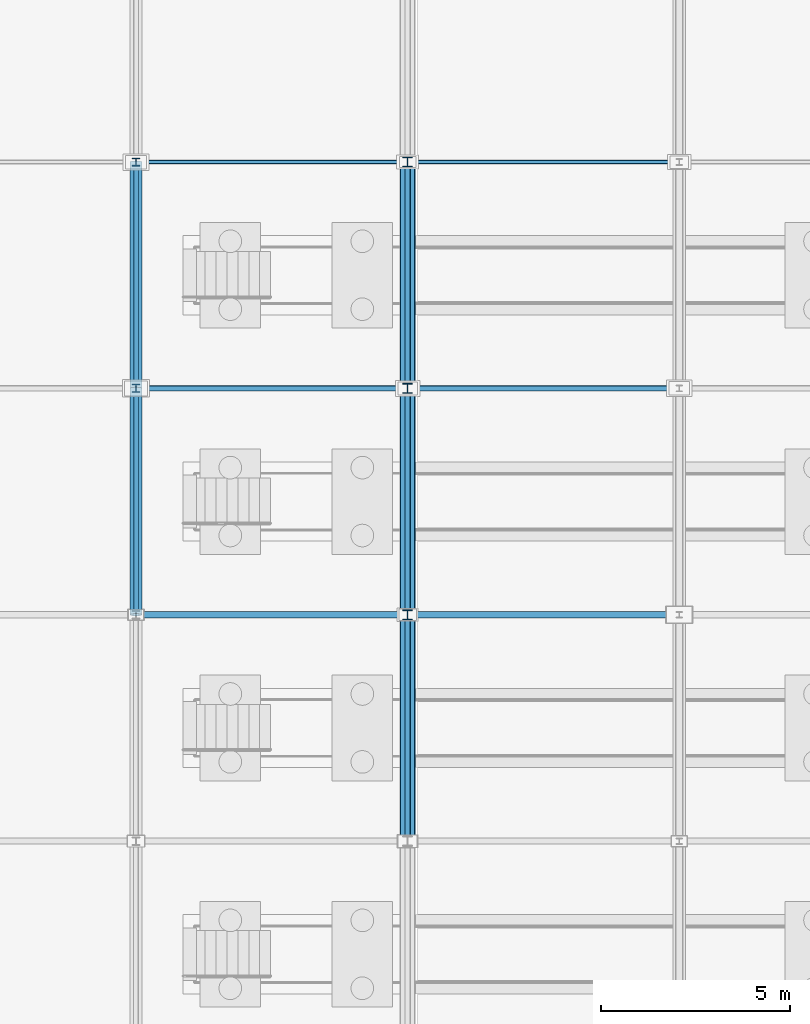
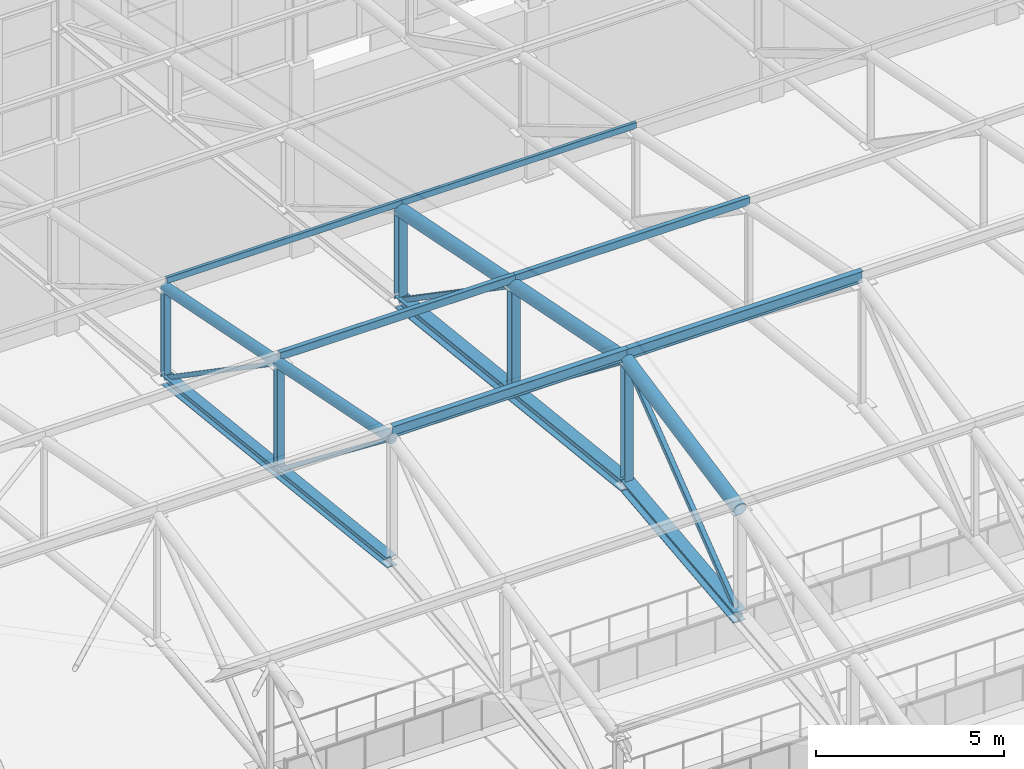
# One storey, part 124 of 293: 26 members.
"""IFC4 building model written with IfcOpenShell, lengths in metres."""

import ifcopenshell
import ifcopenshell.guid

model = None  # the IFC model being written
_history = None  # IfcOwnerHistory: only IFC2X3 demands one
_inside = {}  # id of a spatial element -> (the spatial element, [elements in it])
_under = {}  # id of a project, library or spatial element -> (it, [spatial elements below it])
_declared = {}  # id of a project -> (the project, [libraries it declares])
_typed = {}  # id of a type object -> (the type object, [elements of that type])
_made_of = {}  # id of a material, layer set ... -> (it, [elements and type objects made of it])


def new_model(schema):
    """Start an empty IFC model of exactly this schema.

    Asked for "IFC4X3", IfcOpenShell would pick the latest addendum, in which some entities
    have other attributes; the version numbers below select the first issue.
    IFC2X3 requires an IfcOwnerHistory on every rooted entity: one is made here for all.
    """
    global model, _history
    if schema == "IFC4X3":
        model = ifcopenshell.file(schema_version=(4, 3, 0, 0))
    else:
        model = ifcopenshell.file(schema=schema)
    _inside.clear()
    _under.clear()
    _declared.clear()
    _typed.clear()
    _made_of.clear()
    _history = None
    if model.schema == "IFC2X3":
        org = make("IfcOrganization", Name="unknown")
        user = make(
            "IfcPersonAndOrganization",
            ThePerson=make("IfcPerson", FamilyName="unknown"),
            TheOrganization=org,
        )
        app = make(
            "IfcApplication",
            ApplicationDeveloper=org,
            Version="unknown",
            ApplicationFullName="unknown",
            ApplicationIdentifier="unknown",
        )
        _history = make(
            "IfcOwnerHistory",
            OwningUser=user,
            OwningApplication=app,
            ChangeAction="ADDED",
            CreationDate=0,
        )
    return model


def make(cls, **values):
    """One entity of the class cls with the attributes given. An attribute that is None is left unset."""
    return model.create_entity(
        cls, **{name: value for name, value in values.items() if value is not None}
    )


def rooted(cls, **values):
    """An entity with a GlobalId (a new one), such as an element, a storey or a relation."""
    return make(cls, GlobalId=ifcopenshell.guid.new(), OwnerHistory=_history, **values)


def si_unit(unit_type, name, prefix=None):
    """IfcSIUnit, for example si_unit("LENGTHUNIT", "METRE", prefix="MILLI")."""
    return make("IfcSIUnit", UnitType=unit_type, Prefix=prefix, Name=name)


def assignment(units):
    """IfcUnitAssignment: the units of a project."""
    return None if units is None else make("IfcUnitAssignment", Units=units)


def point(xyz):
    """IfcCartesianPoint."""
    return None if xyz is None else make("IfcCartesianPoint", Coordinates=xyz)


def direction(xyz):
    """IfcDirection."""
    return None if xyz is None else make("IfcDirection", DirectionRatios=xyz)


def frame(location, z_axis=None, x_axis=None):
    """IfcAxis2Placement3D, a coordinate frame: its origin and axes. An axis left out is left unset."""
    return make(
        "IfcAxis2Placement3D",
        Location=point(location),
        Axis=direction(z_axis),
        RefDirection=direction(x_axis),
    )


def frame_2d(location, x_axis=None):
    """IfcAxis2Placement2D, a coordinate frame in the plane: its origin and x axis."""
    return make(
        "IfcAxis2Placement2D", Location=point(location), RefDirection=direction(x_axis)
    )


def origin():
    """The frame at (0, 0, 0) with its axes left unset."""
    return frame((0.0, 0.0, 0.0))


def origin_2d():
    """The frame at (0, 0) in the plane with its x axis left unset."""
    return frame_2d((0.0, 0.0))


def place(relative_to, where):
    """IfcLocalPlacement: puts the frame where relative to a parent placement (None: the world)."""
    return make(
        "IfcLocalPlacement", PlacementRelTo=relative_to, RelativePlacement=where
    )


def context(
    kind, dimensions, precision=None, world=None, true_north=None, identifier=None
):
    """IfcGeometricRepresentationContext, for example the 3D "Model" context."""
    return make(
        "IfcGeometricRepresentationContext",
        ContextIdentifier=identifier,
        ContextType=kind,
        CoordinateSpaceDimension=dimensions,
        Precision=precision,
        WorldCoordinateSystem=world,
        TrueNorth=true_north,
    )


def subcontext(parent, identifier, kind, view, scale=None):
    """IfcGeometricRepresentationSubContext, for example "Body" below "Model"."""
    return make(
        "IfcGeometricRepresentationSubContext",
        ContextIdentifier=identifier,
        ContextType=kind,
        ParentContext=parent,
        TargetScale=scale,
        TargetView=view,
    )


def project(units=None, contexts=None):
    """IfcProject with its units and contexts."""
    return rooted(
        "IfcProject",
        Name="project",
        RepresentationContexts=contexts,
        UnitsInContext=assignment(units),
    )


def spatial(cls, under=None, at=None, **own):
    """A site, building, storey or space (cls), placed at a placement, below another one or the project."""
    s = rooted(cls, ObjectPlacement=at, **own)
    if under is not None:
        _under.setdefault(under.id(), (under, []))[1].append(s)
    return s


def profile(cls, at=None, kind="AREA", **sizes):
    """A parametric profile (cls). Its sizes go by their IFC names, for example OverallWidth=200.0."""
    return make(cls, ProfileType=kind, Position=at, **sizes)


def hollow_rectangle(**sizes):
    """IfcRectangleHollowProfileDef."""
    return profile("IfcRectangleHollowProfileDef", **sizes)


def hollow_circle(**sizes):
    """IfcCircleHollowProfileDef."""
    return profile("IfcCircleHollowProfileDef", **sizes)


def i_section(**sizes):
    """IfcIShapeProfileDef."""
    return profile("IfcIShapeProfileDef", **sizes)


def extrude(swept, where, along, depth):
    """IfcExtrudedAreaSolid: the profile swept, set in the frame where, extruded along a direction by depth."""
    return make(
        "IfcExtrudedAreaSolid",
        SweptArea=swept,
        Position=where,
        ExtrudedDirection=direction(along),
        Depth=depth,
    )


def shape(context_of_items, identifier, shape_type, items):
    """IfcShapeRepresentation: the items that make up one representation, for example the "Body"."""
    return make(
        "IfcShapeRepresentation",
        ContextOfItems=context_of_items,
        RepresentationIdentifier=identifier,
        RepresentationType=shape_type,
        Items=items,
    )


def material(Name=None, Category=None):
    """IfcMaterial."""
    return make("IfcMaterial", Name=Name, Category=Category)


def material_profile(
    of_material, cross_section, Name=None, Category=None, Priority=None
):
    """IfcMaterialProfile: a cross section and its material."""
    return make(
        "IfcMaterialProfile",
        Name=Name,
        Material=of_material,
        Profile=cross_section,
        Priority=Priority,
        Category=Category,
    )


def profile_set(profiles, Name=None, composite=None):
    """IfcMaterialProfileSet."""
    return make(
        "IfcMaterialProfileSet",
        Name=Name,
        MaterialProfiles=profiles,
        CompositeProfile=composite,
    )


def made_of(thing, what):
    """Note that an element or type object is made of a material, layer set ...; save() writes the relation."""
    if what is not None:
        _made_of.setdefault(what.id(), (what, []))[1].append(thing)
    return thing


def type_object(cls, material=None, **own):
    """A type object (cls), such as IfcWallType, which elements share."""
    return made_of(rooted(cls, **own), material)


def element(
    cls,
    number,
    at=None,
    inside=None,
    cuts=None,
    type_object=None,
    material=None,
    context=None,
    identifier="Body",
    shape_type=None,
    held_by="IfcProductDefinitionShape",
    body=None,
    shapes=None,
    **own,
):
    """One element of the class cls, such as IfcWall. Its Tag is "e" and its number.

    at: its placement. inside: the storey or other place that contains it. cuts: it is an
    opening in that element (IfcRelVoidsElement). A single representation is given by context,
    identifier, shape_type and body (its items); several are given by shapes. held_by: the class
    of the entity that holds the representations. save() writes the other relations.
    """
    e = rooted(cls, Tag="e%d" % number, ObjectPlacement=at, **own)
    if body is not None:
        shapes = [shape(context, identifier, shape_type, body)]
    if shapes is not None:
        e.Representation = make(held_by, Representations=shapes)
    if inside is not None:
        _inside.setdefault(inside.id(), (inside, []))[1].append(e)
    if cuts is not None:
        rooted(
            "IfcRelVoidsElement", RelatingBuildingElement=cuts, RelatedOpeningElement=e
        )
    if type_object is not None:
        _typed.setdefault(type_object.id(), (type_object, []))[1].append(e)
    return made_of(e, material)


def aggregate(whole, parts):
    """IfcRelAggregates: a whole, such as a stair, and the parts it consists of."""
    return rooted("IfcRelAggregates", RelatingObject=whole, RelatedObjects=parts)


def save(model, path):
    """Write the relations noted so far, then the file.

    IfcRelAggregates (storeys below a building ...), IfcRelContainedInSpatialStructure (elements
    in a storey), IfcRelDefinesByType, IfcRelAssociatesMaterial and IfcRelDeclares: one each for
    every whole, place, type object, material and project.
    """
    for whole, parts in _under.values():
        aggregate(whole, parts)
    for where, things in _inside.values():
        rooted(
            "IfcRelContainedInSpatialStructure",
            RelatedElements=things,
            RelatingStructure=where,
        )
    for kind, things in _typed.values():
        rooted("IfcRelDefinesByType", RelatedObjects=things, RelatingType=kind)
    for what, things in _made_of.values():
        rooted("IfcRelAssociatesMaterial", RelatedObjects=things, RelatingMaterial=what)
    for by, libraries in _declared.values():
        rooted("IfcRelDeclares", RelatingContext=by, RelatedDefinitions=libraries)
    model.write(path)


model = new_model("IFC4")

# Units and contexts
model_context = context("Model", 3, precision=1e-05, world=origin(), true_north=direction((0.0, 1.0)))
body_context = subcontext(model_context, "Body", "Model", "MODEL_VIEW")
ifc_project = project(units=[si_unit("LENGTHUNIT", "METRE"), si_unit("AREAUNIT", "SQUARE_METRE"), si_unit("VOLUMEUNIT", "CUBIC_METRE"), si_unit("PLANEANGLEUNIT", "RADIAN"), si_unit("MASSUNIT", "GRAM", prefix="KILO")], contexts=[model_context])

# Site, building, storey
site_placement = place(None, origin())
site = spatial("IfcSite", under=ifc_project, at=site_placement, CompositionType="ELEMENT")
building_placement = place(site_placement, origin())
building = spatial("IfcBuilding", under=site, at=building_placement, Name="Kemerveld Promenade Tramway Depot", CompositionType="ELEMENT")
storey_placement = place(building_placement, origin())
storey = spatial("IfcBuildingStorey", under=building, at=storey_placement, Name="L00", CompositionType="ELEMENT", Elevation=0.0)

# Members
ifc_material = material(Name="Steel S355", Category="steel")
ifc_material_profile_1 = material_profile(ifc_material, i_section(OverallWidth=0.25634765625, OverallDepth=0.26025390625, WebThickness=0.01025390625, FlangeThickness=0.017333984375, FilletRadius=0.0126953125, at=origin_2d()), Name="254x254x89 UC")
ifc_profile_set_1 = profile_set([ifc_material_profile_1], Name="Steel S355")
member_type_1 = type_object("IfcMemberType", Name="MB-M04", PredefinedType="POST", material=ifc_profile_set_1)
member_1_placement = place(storey_placement, frame((57.60009765625, 114.0, 13.10009765625), z_axis=(0.0, 0.0, 1.0), x_axis=(1.0, 0.0, 0.0)))
element("IfcMember", 1, at=member_1_placement, inside=storey, type_object=member_type_1, Name="TR-09-VT-05", PredefinedType="POST", context=body_context, shape_type="SweptSolid", body=[
    extrude(i_section(OverallWidth=0.25634765625, OverallDepth=0.26025390625, WebThickness=0.01025390625, FlangeThickness=0.017333984375, FilletRadius=0.0126953125, at=origin_2d()), origin(), (0.0, 0.0, 1.0), 4.0),
])
member_2_placement = place(storey_placement, frame((57.60009765625, 120.0, 12.43994140625), z_axis=(0.0, 0.0, 1.0), x_axis=(1.0, 0.0, 0.0)))
element("IfcMember", 2, at=member_2_placement, inside=storey, type_object=member_type_1, Name="TR-09-VT-06", PredefinedType="POST", context=body_context, shape_type="SweptSolid", body=[
    extrude(i_section(OverallWidth=0.25634765625, OverallDepth=0.26025390625, WebThickness=0.01025390625, FlangeThickness=0.017333984375, FilletRadius=0.0126953125, at=origin_2d()), origin(), (0.0, 0.0, 1.0), 3.4599609375),
])
member_3_placement = place(storey_placement, frame((57.60009765625, 126.0, 11.780029296875), z_axis=(0.0, 0.0, 1.0), x_axis=(1.0, 0.0, 0.0)))
element("IfcMember", 3, at=member_3_placement, inside=storey, type_object=member_type_1, Name="TR-09-VT-07", PredefinedType="POST", context=body_context, shape_type="SweptSolid", body=[
    extrude(i_section(OverallWidth=0.25634765625, OverallDepth=0.26025390625, WebThickness=0.01025390625, FlangeThickness=0.017333984375, FilletRadius=0.0126953125, at=origin_2d()), origin(), (0.0, 0.0, 1.0), 2.919921875),
])
ifc_material_profile_2 = material_profile(ifc_material, i_section(OverallWidth=0.172119140625, OverallDepth=0.35791015625, WebThickness=0.008056640625, FlangeThickness=0.012939453125, FilletRadius=0.01025390625, at=origin_2d()), Name="356x171x57 UB")
ifc_profile_set_2 = profile_set([ifc_material_profile_2], Name="Steel S355")
member_type_2 = type_object("IfcMemberType", Name="MB-M07", PredefinedType="PURLIN", material=ifc_profile_set_2)
member_4_placement = place(storey_placement, frame((50.39990234375, 114.0, 17.344970703125), z_axis=(1.0, 0.0, 0.0), x_axis=(0.0, 1.0, 0.0)))
element("IfcMember", 4, at=member_4_placement, inside=storey, type_object=member_type_2, Name="PUR-V1-05-08", PredefinedType="PURLIN", context=body_context, shape_type="SweptSolid", body=[
    extrude(i_section(OverallWidth=0.172119140625, OverallDepth=0.35791015625, WebThickness=0.008056640625, FlangeThickness=0.012939453125, FilletRadius=0.01025390625, at=origin_2d()), origin(), (0.0, 0.0, 1.0), 7.2001953125),
])
member_5_placement = place(storey_placement, frame((57.60009765625, 114.0, 17.344970703125), z_axis=(1.0, 0.0, 0.0), x_axis=(0.0, 1.0, 0.0)))
element("IfcMember", 5, at=member_5_placement, inside=storey, type_object=member_type_2, Name="PUR-V1-05-09", PredefinedType="PURLIN", context=body_context, shape_type="SweptSolid", body=[
    extrude(i_section(OverallWidth=0.172119140625, OverallDepth=0.35791015625, WebThickness=0.008056640625, FlangeThickness=0.012939453125, FilletRadius=0.01025390625, at=origin_2d()), origin(), (0.0, 0.0, 1.0), 7.199951171875),
])
ifc_material_profile_3 = material_profile(ifc_material, i_section(OverallWidth=0.37255859375, OverallDepth=0.3681640625, WebThickness=0.014404296875, FlangeThickness=0.023681640625, FilletRadius=0.01513671875, at=origin_2d()), Name="356x368x177 UC")
ifc_profile_set_3 = profile_set([ifc_material_profile_3], Name="Steel S355")
member_type_3 = type_object("IfcMemberType", Name="MB-M08", PredefinedType="CHORD", material=ifc_profile_set_3)
for number, where, z_axis, x_axis, name in (
    (6, (57.60009765625, 108.0, 12.43994140625), (0.0, 0.994001542248, 0.109366055104), (-1.0, 0.0, 0.0), "TR-09-BC-05"),
    (7, (57.60009765625, 114.0, 13.10009765625), (0.0, 0.994001542248, -0.109366055104), (-1.0, 0.0, 0.0), "TR-09-BC-06"),
    (8, (57.60009765625, 120.0, 12.43994140625), (0.0, 0.994005938353, -0.109326092585), (-1.0, 0.0, 0.0), "TR-09-BC-07"),
):
    element("IfcMember", number, at=place(storey_placement, frame(where, z_axis=z_axis, x_axis=x_axis)), inside=storey, type_object=member_type_3, Name=name, PredefinedType="CHORD", context=body_context, shape_type="SweptSolid", body=[
        extrude(i_section(OverallWidth=0.37255859375, OverallDepth=0.3681640625, WebThickness=0.014404296875, FlangeThickness=0.023681640625, FilletRadius=0.01513671875, at=origin_2d()), origin(), (0.0, 0.0, 1.0), 6.0361328125),
    ])
ifc_material_profile_4 = material_profile(ifc_material, hollow_rectangle(XDim=0.14990234375, YDim=0.25, WallThickness=0.010009765625, InnerFilletRadius=0.0048828125, OuterFilletRadius=0.014892578125, at=origin_2d()), Name="250x150x10.0 RHS")
ifc_profile_set_4 = profile_set([ifc_material_profile_4], Name="Steel S355")
member_type_4 = type_object("IfcMemberType", Name="MB-PR1", PredefinedType="PURLIN", material=ifc_profile_set_4)
member_6_placement = place(storey_placement, frame((50.39990234375, 120.0, 16.14501953125), z_axis=(1.0, 0.0, 0.0), x_axis=(0.0, 1.0, 0.0)))
element("IfcMember", 9, at=member_6_placement, inside=storey, type_object=member_type_4, Name="PUR-V1-06-08", PredefinedType="PURLIN", context=body_context, shape_type="SweptSolid", body=[
    extrude(hollow_rectangle(XDim=0.14990234375, YDim=0.25, WallThickness=0.010009765625, InnerFilletRadius=0.0048828125, OuterFilletRadius=0.014892578125, at=origin_2d()), origin(), (0.0, 0.0, 1.0), 7.2001953125),
])
member_7_placement = place(storey_placement, frame((57.60009765625, 120.0, 16.14501953125), z_axis=(1.0, 0.0, 0.0), x_axis=(0.0, 1.0, 0.0)))
element("IfcMember", 10, at=member_7_placement, inside=storey, type_object=member_type_4, Name="PUR-V1-06-09", PredefinedType="PURLIN", context=body_context, shape_type="SweptSolid", body=[
    extrude(hollow_rectangle(XDim=0.14990234375, YDim=0.25, WallThickness=0.010009765625, InnerFilletRadius=0.0048828125, OuterFilletRadius=0.014892578125, at=origin_2d()), origin(), (0.0, 0.0, 1.0), 7.199951171875),
])
ifc_material_profile_5 = material_profile(ifc_material, hollow_rectangle(XDim=0.10009765625, YDim=0.199951171875, WallThickness=0.008056640625, InnerFilletRadius=0.00390625, OuterFilletRadius=0.011962890625, at=origin_2d()), Name="200x100x8.0 RHS")
ifc_profile_set_5 = profile_set([ifc_material_profile_5], Name="Steel S355")
member_type_5 = type_object("IfcMemberType", Name="MB-PR2", PredefinedType="PURLIN", material=ifc_profile_set_5)
member_8_placement = place(storey_placement, frame((50.39990234375, 126.0, 14.945068359375), z_axis=(1.0, 0.0, 0.0), x_axis=(0.0, 1.0, 0.0)))
element("IfcMember", 11, at=member_8_placement, inside=storey, type_object=member_type_5, Name="PUR-V1-07-08", PredefinedType="PURLIN", context=body_context, shape_type="SweptSolid", body=[
    extrude(hollow_rectangle(XDim=0.10009765625, YDim=0.199951171875, WallThickness=0.008056640625, InnerFilletRadius=0.00390625, OuterFilletRadius=0.011962890625, at=origin_2d()), origin(), (0.0, 0.0, 1.0), 7.2001953125),
])
member_9_placement = place(storey_placement, frame((57.60009765625, 126.0, 14.945068359375), z_axis=(1.0, 0.0, 0.0), x_axis=(0.0, 1.0, 0.0)))
element("IfcMember", 12, at=member_9_placement, inside=storey, type_object=member_type_5, Name="PUR-V1-07-09", PredefinedType="PURLIN", context=body_context, shape_type="SweptSolid", body=[
    extrude(hollow_rectangle(XDim=0.10009765625, YDim=0.199951171875, WallThickness=0.008056640625, InnerFilletRadius=0.00390625, OuterFilletRadius=0.011962890625, at=origin_2d()), origin(), (0.0, 0.0, 1.0), 7.199951171875),
])
ifc_material_profile_6 = material_profile(ifc_material, hollow_circle(Radius=0.06982421875, WallThickness=0.00634765625, at=origin_2d()), Name="139.7x6.3 CHS")
ifc_profile_set_6 = profile_set([ifc_material_profile_6], Name="Steel S355")
member_type_6 = type_object("IfcMemberType", Name="MB-TB3", PredefinedType="BRACE", material=ifc_profile_set_6)
member_10_placement = place(storey_placement, frame((50.39990234375, 120.0, 12.43994140625), z_axis=(0.0, -0.789767329101, 0.613406525793), x_axis=(1.0, 0.0, 0.0)))
element("IfcMember", 13, at=member_10_placement, inside=storey, type_object=member_type_6, Name="TR-08-DG-06", PredefinedType="BRACE", context=body_context, shape_type="SweptSolid", body=[
    extrude(hollow_circle(Radius=0.06982421875, WallThickness=0.00634765625, at=origin_2d()), origin(), (0.0, 0.0, 1.0), 7.59716796875),
])
member_11_placement = place(storey_placement, frame((50.39990234375, 126.0, 11.780029296875), z_axis=(0.0, -0.824370638462, 0.566050395673), x_axis=(1.0, 0.0, 0.0)))
element("IfcMember", 14, at=member_11_placement, inside=storey, type_object=member_type_6, Name="TR-08-DG-07", PredefinedType="BRACE", context=body_context, shape_type="SweptSolid", body=[
    extrude(hollow_circle(Radius=0.06982421875, WallThickness=0.00634765625, at=origin_2d()), origin(), (0.0, 0.0, 1.0), 7.2783203125),
])
ifc_material_profile_7 = material_profile(ifc_material, hollow_rectangle(XDim=0.14990234375, YDim=0.14990234375, WallThickness=0.008056640625, InnerFilletRadius=0.00390625, OuterFilletRadius=0.011962890625, at=origin_2d()), Name="150x150x8.0 SHS")
ifc_profile_set_7 = profile_set([ifc_material_profile_7], Name="Steel S355")
member_type_7 = type_object("IfcMemberType", Name="MB-TB4", PredefinedType="BRACE", material=ifc_profile_set_7)
for number, where, z_axis, x_axis, name in (
    (15, (57.60009765625, 108.0, 12.43994140625), (0.0, 0.789767329101, 0.613406525793), (-1.0, 0.0, 0.0), "TR-09-DG-05"),
    (16, (57.60009765625, 120.0, 12.43994140625), (0.0, -0.789767329101, 0.613406525793), (1.0, 0.0, 0.0), "TR-09-DG-06"),
):
    element("IfcMember", number, at=place(storey_placement, frame(where, z_axis=z_axis, x_axis=x_axis)), inside=storey, type_object=member_type_7, Name=name, PredefinedType="BRACE", context=body_context, shape_type="SweptSolid", body=[
        extrude(hollow_rectangle(XDim=0.14990234375, YDim=0.14990234375, WallThickness=0.008056640625, InnerFilletRadius=0.00390625, OuterFilletRadius=0.011962890625, at=origin_2d()), origin(), (0.0, 0.0, 1.0), 7.59716796875),
    ])
member_12_placement = place(storey_placement, frame((57.60009765625, 126.0, 11.780029296875), z_axis=(0.0, -0.824370638462, 0.566050395673), x_axis=(1.0, 0.0, 0.0)))
element("IfcMember", 17, at=member_12_placement, inside=storey, type_object=member_type_7, Name="TR-09-DG-07", PredefinedType="BRACE", context=body_context, shape_type="SweptSolid", body=[
    extrude(hollow_rectangle(XDim=0.14990234375, YDim=0.14990234375, WallThickness=0.008056640625, InnerFilletRadius=0.00390625, OuterFilletRadius=0.011962890625, at=origin_2d()), origin(), (0.0, 0.0, 1.0), 7.2783203125),
])
ifc_material_profile_8 = material_profile(ifc_material, hollow_circle(Radius=0.203125, WallThickness=0.01611328125, at=origin_2d()), Name="406.4x16.0 CHS")
ifc_profile_set_8 = profile_set([ifc_material_profile_8], Name="Steel S355")
member_type_8 = type_object("IfcMemberType", Name="MB-TC1", PredefinedType="CHORD", material=ifc_profile_set_8)
for number, where, z_axis, x_axis, name in (
    (18, (57.60009765625, 108.0, 15.89990234375), (0.0, 0.980574536798, 0.196146827104), (-1.0, 0.0, 0.0), "TR-09-TC-05"),
    (19, (57.60009765625, 114.0, 17.10009765625), (0.0, 0.980574536798, -0.196146827104), (-1.0, 0.0, 0.0), "TR-09-TC-06"),
    (20, (57.60009765625, 120.0, 15.89990234375), (0.0, 0.980582210276, -0.196108462057), (-1.0, 0.0, 0.0), "TR-09-TC-07"),
):
    element("IfcMember", number, at=place(storey_placement, frame(where, z_axis=z_axis, x_axis=x_axis)), inside=storey, type_object=member_type_8, Name=name, PredefinedType="CHORD", context=body_context, shape_type="SweptSolid", body=[
        extrude(hollow_circle(Radius=0.203125, WallThickness=0.01611328125, at=origin_2d()), origin(), (0.0, 0.0, 1.0), 6.118896484375),
    ])
ifc_material_profile_9 = material_profile(ifc_material, hollow_circle(Radius=0.161865234375, WallThickness=0.012451171875, at=origin_2d()), Name="323.9x12.5 CHS")
ifc_profile_set_9 = profile_set([ifc_material_profile_9], Name="Steel S355")
member_type_9 = type_object("IfcMemberType", Name="MB-TC2", PredefinedType="CHORD", material=ifc_profile_set_9)
for number, where, z_axis, x_axis, name in (
    (21, (50.39990234375, 114.0, 17.10009765625), (0.0, 0.980574536798, -0.196146827104), (-1.0, 0.0, 0.0), "TR-08-TC-06"),
    (22, (50.39990234375, 120.0, 15.89990234375), (0.0, 0.980582210276, -0.196108462057), (-1.0, 0.0, 0.0), "TR-08-TC-07"),
):
    element("IfcMember", number, at=place(storey_placement, frame(where, z_axis=z_axis, x_axis=x_axis)), inside=storey, type_object=member_type_9, Name=name, PredefinedType="CHORD", context=body_context, shape_type="SweptSolid", body=[
        extrude(hollow_circle(Radius=0.161865234375, WallThickness=0.012451171875, at=origin_2d()), origin(), (0.0, 0.0, 1.0), 6.118896484375),
    ])
ifc_material_profile_10 = material_profile(ifc_material, i_section(OverallWidth=0.307373046875, OverallDepth=0.314453125, WebThickness=0.011962890625, FlangeThickness=0.018798828125, FilletRadius=0.01513671875, at=origin_2d()), Name="305x305x118 UC")
ifc_profile_set_10 = profile_set([ifc_material_profile_10], Name="Steel S355")
member_type_10 = type_object("IfcMemberType", Name="MB-TC4", PredefinedType="CHORD", material=ifc_profile_set_10)
for number, where, z_axis, x_axis, name in (
    (23, (50.39990234375, 114.0, 13.10009765625), (0.0, 0.994001542248, -0.109366055104), (-1.0, 0.0, 0.0), "TR-08-BC-06"),
    (24, (50.39990234375, 120.0, 12.43994140625), (0.0, 0.994005938353, -0.109326092585), (-1.0, 0.0, 0.0), "TR-08-BC-07"),
):
    element("IfcMember", number, at=place(storey_placement, frame(where, z_axis=z_axis, x_axis=x_axis)), inside=storey, type_object=member_type_10, Name=name, PredefinedType="CHORD", context=body_context, shape_type="SweptSolid", body=[
        extrude(i_section(OverallWidth=0.307373046875, OverallDepth=0.314453125, WebThickness=0.011962890625, FlangeThickness=0.018798828125, FilletRadius=0.01513671875, at=origin_2d()), origin(), (0.0, 0.0, 1.0), 6.0361328125),
    ])
ifc_material_profile_11 = material_profile(ifc_material, i_section(OverallWidth=0.205810546875, OverallDepth=0.209716796875, WebThickness=0.009521484375, FlangeThickness=0.01416015625, FilletRadius=0.01025390625, at=origin_2d()), Name="203x203x60 UC")
ifc_profile_set_11 = profile_set([ifc_material_profile_11], Name="Steel S355")
member_type_11 = type_object("IfcMemberType", Name="MB-TP3", PredefinedType="POST", material=ifc_profile_set_11)
member_13_placement = place(storey_placement, frame((50.39990234375, 120.0, 12.43994140625), z_axis=(0.0, 0.0, 1.0), x_axis=(1.0, 0.0, 0.0)))
element("IfcMember", 25, at=member_13_placement, inside=storey, type_object=member_type_11, Name="TR-08-VT-06", PredefinedType="POST", context=body_context, shape_type="SweptSolid", body=[
    extrude(i_section(OverallWidth=0.205810546875, OverallDepth=0.209716796875, WebThickness=0.009521484375, FlangeThickness=0.01416015625, FilletRadius=0.01025390625, at=origin_2d()), origin(), (0.0, 0.0, 1.0), 3.4599609375),
])
member_14_placement = place(storey_placement, frame((50.39990234375, 126.0, 11.780029296875), z_axis=(0.0, 0.0, 1.0), x_axis=(1.0, 0.0, 0.0)))
element("IfcMember", 26, at=member_14_placement, inside=storey, type_object=member_type_11, Name="TR-08-VT-07", PredefinedType="POST", context=body_context, shape_type="SweptSolid", body=[
    extrude(i_section(OverallWidth=0.205810546875, OverallDepth=0.209716796875, WebThickness=0.009521484375, FlangeThickness=0.01416015625, FilletRadius=0.01025390625, at=origin_2d()), origin(), (0.0, 0.0, 1.0), 2.919921875),
])

save(model, "model.ifc")
